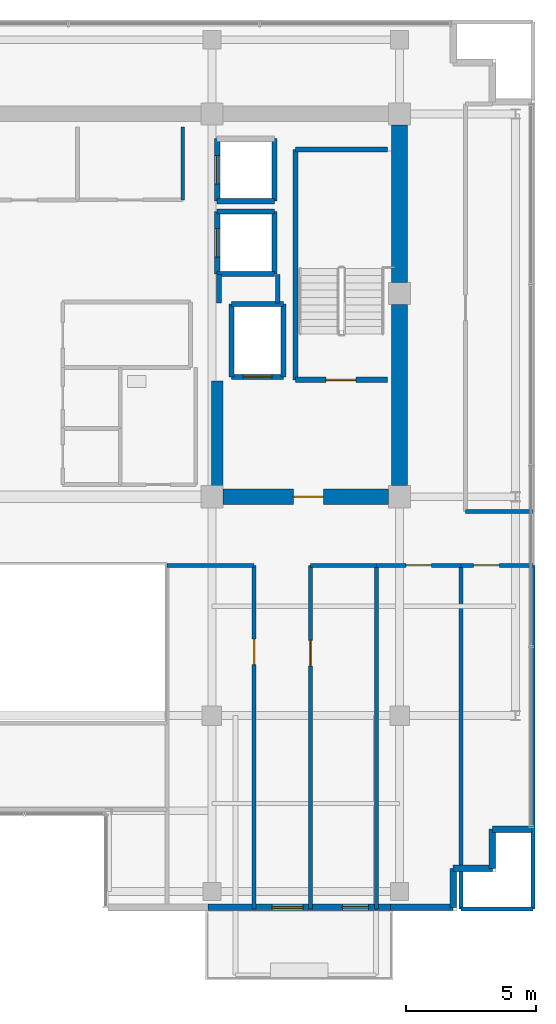
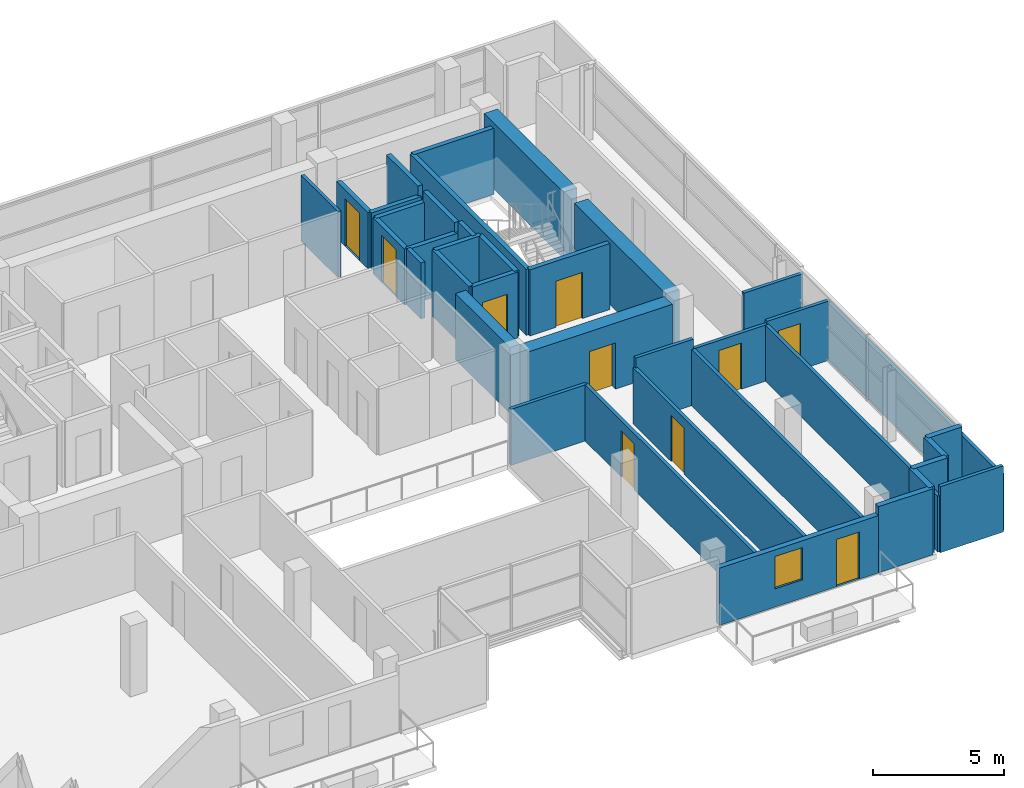
# One storey, part 17 of 22: 38 walls, 10 doors, 1 window, 11 openings.
"""IFC4 building model written with IfcOpenShell, lengths in metres."""

from ifc_helpers import new_model, si_unit, direction, frame, frame_2d, origin, place, context, subcontext, project, spatial, rectangle, extrude, source, transform, mapped, material, layer, layer_set, type_object, element, fill, save


model = new_model("IFC4")

# Units and contexts
model_context = context("Model", 3, precision=1e-05, world=origin(), true_north=direction((0.0, 1.0)))
body_context = subcontext(model_context, "Body", "Model", "MODEL_VIEW")
ifc_project = project(units=[si_unit("LENGTHUNIT", "METRE"), si_unit("AREAUNIT", "SQUARE_METRE"), si_unit("VOLUMEUNIT", "CUBIC_METRE"), si_unit("PLANEANGLEUNIT", "RADIAN"), si_unit("MASSUNIT", "GRAM", prefix="KILO")], contexts=[model_context])

# Site, building, storey
site_placement = place(None, origin())
site = spatial("IfcSite", under=ifc_project, at=site_placement, CompositionType="ELEMENT")
building_placement = place(site_placement, origin())
building = spatial("IfcBuilding", under=site, at=building_placement, Name="Zarnakvel Exchange Tower", CompositionType="ELEMENT")
storey_placement = place(building_placement, frame((0.0, 0.0, 222.10009765625)))
storey = spatial("IfcBuildingStorey", under=building, at=storey_placement, Name="L62", CompositionType="ELEMENT", Elevation=222.10009765625)

# Walls
ifc_material_1 = material(Name="Concrete C50/60", Category="concrete")
ifc_layer_1 = layer(ifc_material_1, 0.60009765625)
ifc_layer_set_1 = layer_set([ifc_layer_1], Name="Concrete C50/60")
wall_type_1 = type_object("IfcWallType", Name="CW-C5", PredefinedType="SHEAR", material=ifc_layer_set_1)
wall_1_placement = place(storey_placement, frame((14.39990234375, -0.77490234375, 0.0), z_axis=(0.0, 0.0, 1.0), x_axis=(0.0, 1.0, 0.0)))
element("IfcWall", 1, at=wall_1_placement, inside=storey, type_object=wall_type_1, Name="L62 Rear Core Shear Wall E1 (CW-C5)", PredefinedType="SHEAR", context=body_context, shape_type="SweptSolid", body=[
    extrude(rectangle(XDim=6.949951171875, YDim=0.60009765625, at=frame_2d((3.47509765625, 0.0))), origin(), (0.0, 0.0, 1.0), 3.074951171875),
])
wall_2_placement = place(storey_placement, frame((14.39990234375, 7.02490234375, 0.0), z_axis=(0.0, 0.0, 1.0), x_axis=(0.0, 1.0, 0.0)))
element("IfcWall", 2, at=wall_2_placement, inside=storey, type_object=wall_type_1, Name="L62 Rear Core Shear Wall E2 (CW-C5)", PredefinedType="SHEAR", context=body_context, shape_type="SweptSolid", body=[
    extrude(rectangle(XDim=6.050048828125, YDim=0.60009765625, at=frame_2d((3.02490234375, 0.0))), origin(), (0.0, 0.0, 1.0), 3.074951171875),
])

# Wall, opening, door
wall_3_placement = place(storey_placement, frame((13.97509765625, -1.199951171875, 0.0), z_axis=(0.0, 0.0, 1.0), x_axis=(-1.0, 0.0, 0.0)))
wall_3 = element("IfcWall", 3, at=wall_3_placement, inside=storey, type_object=wall_type_1, Name="L62 Rear Core Shear Wall SE (CW-C5)", PredefinedType="SHEAR", context=body_context, shape_type="SweptSolid", body=[
    extrude(rectangle(XDim=6.35009765625, YDim=0.60009765625, at=frame_2d((3.175048828125, 0.0))), origin(), (0.0, 0.0, 1.0), 3.074951171875),
])
opening_1_placement = place(wall_3_placement, frame((2.5, 0.0, 0.0)))
opening_1 = element("IfcOpeningElement", 4, at=opening_1_placement, cuts=wall_3, Name="Opening D-L62-04", PredefinedType="OPENING", context=body_context, shape_type="SweptSolid", body=[
    extrude(rectangle(XDim=1.14990234375, YDim=2.14990234375, at=frame_2d((0.574951171875, 1.074951171875))), frame((0.0, 0.31005859375, 0.0), z_axis=(0.0, -1.0, 0.0), x_axis=(1.0, 0.0, 0.0)), (0.0, 0.0, 1.0), 0.6201171875),
])
ifc_material_2 = material(Name="Painted Galvanised Steel S355", Category="steel")
door_type_1 = type_object("IfcDoorType", Name="DT-04", OperationType="NOTDEFINED", PredefinedType="DOOR", material=ifc_material_2)
shared_shape_1 = source(origin(), body_context, "Body", "SweptSolid", [
    extrude(rectangle(XDim=1.14990234375, YDim=2.14990234375, at=frame_2d((0.574951171875, 1.074951171875))), frame((0.0, 0.02490234375, 0.0), z_axis=(0.0, -1.0, 0.0), x_axis=(1.0, 0.0, 0.0)), (0.0, 0.0, 1.0), 0.050048828125),
])
door_1_placement = place(opening_1_placement, origin())
door_1 = element("IfcDoor", 5, at=door_1_placement, inside=storey, type_object=door_type_1, Name="L62 Firefighting Lobby East Door D-L62-04", OperationType="SINGLE_SWING_RIGHT", OverallHeight=2.14990234375, OverallWidth=1.14990234375, PredefinedType="DOOR", context=body_context, shape_type="MappedRepresentation", body=[
    mapped(shared_shape_1, transform((0.0, 0.0, 0.0), x_axis=(1.0, 0.0, 0.0), y_axis=(0.0, 1.0, 0.0), z_axis=(0.0, 0.0, 1.0), scale=1.0)),
])
fill(opening_1, door_1)

# Wall
ifc_layer_2 = layer(ifc_material_1, 0.449951171875)
ifc_layer_set_2 = layer_set([ifc_layer_2], Name="Concrete C50/60")
wall_type_2 = type_object("IfcWallType", Name="CW-C6", PredefinedType="SHEAR", material=ifc_layer_set_2)
wall_4_placement = place(storey_placement, frame((7.39990234375, -0.89990234375, 0.0), z_axis=(0.0, 0.0, 1.0), x_axis=(0.0, 1.0, 0.0)))
element("IfcWall", 6, at=wall_4_placement, inside=storey, type_object=wall_type_2, Name="L62 Rear Core Shear Wall IE (CW-C6)", PredefinedType="SHEAR", context=body_context, shape_type="SweptSolid", body=[
    extrude(rectangle(XDim=4.14990234375, YDim=0.449951171875, at=frame_2d((2.074951171875, 0.0))), origin(), (0.0, 0.0, 1.0), 3.074951171875),
])

# Wall, openings, door, window
ifc_material_3 = material(Name="Precast concrete C40/50", Category="concrete")
ifc_layer_3 = layer(ifc_material_3, 0.239990234375)
ifc_layer_set_3 = layer_set([ifc_layer_3], Name="Precast concrete C40/50")
wall_type_3 = type_object("IfcWallType", Name="EW-02", PredefinedType="SOLIDWALL", material=ifc_layer_set_3)
wall_5_placement = place(storey_placement, frame((14.050048828125, -16.9599609375, 0.0), z_axis=(0.0, 0.0, 1.0), x_axis=(-1.0, 0.0, 0.0)))
wall_5 = element("IfcWall", 7, at=wall_5_placement, inside=storey, type_object=wall_type_3, Name="L62 Exterior Precast Spandrel Wall EW-BAL-L62-SE (EW-02)", PredefinedType="SOLIDWALL", context=body_context, shape_type="SweptSolid", body=[
    extrude(rectangle(XDim=7.0, YDim=0.239990234375, at=frame_2d((3.5, 0.0))), origin(), (0.0, 0.0, 1.0), 2.664794921875),
])
opening_2_placement = place(wall_5_placement, frame((0.840087890625, 0.0, 0.0)))
opening_2 = element("IfcOpeningElement", 8, at=opening_2_placement, cuts=wall_5, Name="Opening BD-L62-02", PredefinedType="OPENING", context=body_context, shape_type="SweptSolid", body=[
    extrude(rectangle(XDim=1.0, YDim=2.199951171875, at=frame_2d((0.5, 1.10009765625))), frame((0.0, 0.1298828125, 0.0), z_axis=(0.0, -1.0, 0.0), x_axis=(1.0, 0.0, 0.0)), (0.0, 0.0, 1.0), 0.260009765625),
])
opening_3_placement = place(wall_5_placement, frame((3.35009765625, 0.0, 0.85009765625)))
opening_3 = element("IfcOpeningElement", 9, at=opening_3_placement, cuts=wall_5, Name="Opening WN-04", PredefinedType="OPENING", context=body_context, shape_type="SweptSolid", body=[
    extrude(rectangle(XDim=1.199951171875, YDim=1.5, at=frame_2d((0.60009765625, 0.75))), frame((0.0, 0.1298828125, 0.0), z_axis=(0.0, -1.0, 0.0), x_axis=(1.0, 0.0, 0.0)), (0.0, 0.0, 1.0), 0.260009765625),
])
ifc_material_4 = material(Name="Architectural Bronze Anodised Aluminium", Category="aluminium")
door_type_2 = type_object("IfcDoorType", Name="DT-09", OperationType="NOTDEFINED", PredefinedType="DOOR", material=ifc_material_4)
shared_shape_2 = source(origin(), body_context, "Body", "SweptSolid", [
    extrude(rectangle(XDim=1.0, YDim=2.199951171875, at=frame_2d((0.5, 1.10009765625))), frame((0.0, 0.02490234375, 0.0), z_axis=(0.0, -1.0, 0.0), x_axis=(1.0, 0.0, 0.0)), (0.0, 0.0, 1.0), 0.050048828125),
])
door_2_placement = place(opening_2_placement, origin())
door_2 = element("IfcDoor", 10, at=door_2_placement, inside=storey, type_object=door_type_2, Name="L62 Planted Loggia Balcony Door BD-L62-02", OperationType="SINGLE_SWING_LEFT", OverallHeight=2.199951171875, OverallWidth=1.0, PredefinedType="DOOR", context=body_context, shape_type="MappedRepresentation", body=[
    mapped(shared_shape_2, transform((0.0, 0.0, 0.0), x_axis=(1.0, 0.0, 0.0), y_axis=(0.0, 1.0, 0.0), z_axis=(0.0, 0.0, 1.0), scale=1.0)),
])
fill(opening_2, door_2)
ifc_material_5 = material(Name="Double Low-E Laminated Vision Glass", Category="glass")
window_type = type_object("IfcWindowType", Name="WN-04", PartitioningType="SINGLE_PANEL", PredefinedType="WINDOW", material=ifc_material_5)
shared_shape_3 = source(origin(), body_context, "Body", "SweptSolid", [
    extrude(rectangle(XDim=1.199951171875, YDim=1.5, at=frame_2d((0.60009765625, 0.75))), frame((0.0, 0.030029296875, 0.0), z_axis=(0.0, -1.0, 0.0), x_axis=(1.0, 0.0, 0.0)), (0.0, 0.0, 1.0), 0.06005859375),
])
window_placement = place(opening_3_placement, origin())
window = element("IfcWindow", 11, at=window_placement, inside=storey, type_object=window_type, Name="L62 Loggia Daylight Window (WN-04)", OverallHeight=1.5, OverallWidth=1.199951171875, PartitioningType="SINGLE_PANEL", PredefinedType="WINDOW", context=body_context, shape_type="MappedRepresentation", body=[
    mapped(shared_shape_3, transform((0.0, 0.0, 0.0), x_axis=(1.0, 0.0, 0.0), y_axis=(0.0, 1.0, 0.0), z_axis=(0.0, 0.0, 1.0), scale=1.0)),
])
fill(opening_3, window)

# Walls
for number, where, z_axis, x_axis, name in (
    (12, (17.9599609375, -13.9599609375, 0.0), (0.0, 0.0, 1.0), (1.0, 0.0, 0.0), "L62 Exterior Precast Spandrel Wall EWC-L62-11 (EW-02)"),
    (13, (17.9599609375, -15.4599609375, 0.0), (0.0, 0.0, 1.0), (0.0, 1.0, 0.0), "L62 Exterior Precast Spandrel Wall EWC-L62-12 (EW-02)"),
    (14, (16.4599609375, -15.4599609375, 0.0), (0.0, 0.0, 1.0), (1.0, 0.0, 0.0), "L62 Exterior Precast Spandrel Wall EWC-L62-13 (EW-02)"),
    (15, (16.4599609375, -16.9599609375, 0.0), (0.0, 0.0, 1.0), (0.0, 1.0, 0.0), "L62 Exterior Precast Spandrel Wall EWC-L62-14 (EW-02)"),
):
    element("IfcWall", number, at=place(storey_placement, frame(where, z_axis=z_axis, x_axis=x_axis)), inside=storey, type_object=wall_type_3, Name=name, PredefinedType="SOLIDWALL", context=body_context, shape_type="SweptSolid", body=[
        extrude(rectangle(XDim=1.5, YDim=0.239990234375, at=frame_2d((0.75, 0.0))), origin(), (0.0, 0.0, 1.0), 3.074951171875),
    ])
wall_6_placement = place(storey_placement, frame((14.050048828125, -16.9599609375, 0.0), z_axis=(0.0, 0.0, 1.0), x_axis=(1.0, 0.0, 0.0)))
element("IfcWall", 16, at=wall_6_placement, inside=storey, type_object=wall_type_3, Name="L62 Exterior Precast Spandrel Wall EWC-L62-15 (EW-02)", PredefinedType="SOLIDWALL", context=body_context, shape_type="SweptSolid", body=[
    extrude(rectangle(XDim=2.409912109375, YDim=0.239990234375, at=frame_2d((1.205078125, 0.0))), origin(), (0.0, 0.0, 1.0), 3.074951171875),
])
ifc_material_6 = material(Name="Fire-Rated Gypsum Stud Partition", Category="gypsum")
ifc_layer_4 = layer(ifc_material_6, 0.14990234375)
ifc_layer_set_4 = layer_set([ifc_layer_4], Name="Fire-Rated Gypsum Stud Partition")
wall_type_4 = type_object("IfcWallType", Name="PT-01", PredefinedType="PARTITIONING", material=ifc_layer_set_4)
wall_7_placement = place(storey_placement, frame((10.97998046875, -3.830078125, 0.0), z_axis=(0.0, 0.0, 1.0), x_axis=(1.0, 0.0, 0.0)))
element("IfcWall", 17, at=wall_7_placement, inside=storey, type_object=wall_type_4, Name="L62 Partition Wall PWALL-L62-049 (PT-01)", PredefinedType="PARTITIONING", context=body_context, shape_type="SweptSolid", body=[
    extrude(rectangle(XDim=2.533447265625, YDim=0.14990234375, at=frame_2d((1.2666015625, 0.0))), origin(), (0.0, 0.0, 1.0), 3.074951171875),
])

# Wall, opening, door
wall_8_placement = place(storey_placement, frame((10.97998046875, -17.030029296875, 0.0), z_axis=(0.0, 0.0, 1.0), x_axis=(0.0, 1.0, 0.0)))
wall_8 = element("IfcWall", 18, at=wall_8_placement, inside=storey, type_object=wall_type_4, Name="L62 Partition Wall PWALL-L62-050 (PT-01)", PredefinedType="PARTITIONING", context=body_context, shape_type="SweptSolid", body=[
    extrude(rectangle(XDim=13.199951171875, YDim=0.14990234375, at=frame_2d((6.60009765625, 0.0))), origin(), (0.0, 0.0, 1.0), 2.614990234375),
])
opening_4_placement = place(wall_8_placement, frame((9.340087890625, 0.0, 0.0)))
opening_4 = element("IfcOpeningElement", 19, at=opening_4_placement, cuts=wall_8, Name="Opening D-L62-18", PredefinedType="OPENING", context=body_context, shape_type="SweptSolid", body=[
    extrude(rectangle(XDim=0.97998046875, YDim=2.14990234375, at=frame_2d((0.489990234375, 1.074951171875))), frame((0.0, 0.0849609375, 0.0), z_axis=(0.0, -1.0, 0.0), x_axis=(1.0, 0.0, 0.0)), (0.0, 0.0, 1.0), 0.169921875),
])
ifc_material_7 = material(Name="Timber Acoustic Veneer", Category="wood")
door_type_3 = type_object("IfcDoorType", Name="DT-05", OperationType="NOTDEFINED", PredefinedType="DOOR", material=ifc_material_7)
shared_shape_4 = source(origin(), body_context, "Body", "SweptSolid", [
    extrude(rectangle(XDim=0.97998046875, YDim=2.14990234375, at=frame_2d((0.489990234375, 1.074951171875))), frame((0.0, 0.02490234375, 0.0), z_axis=(0.0, -1.0, 0.0), x_axis=(1.0, 0.0, 0.0)), (0.0, 0.0, 1.0), 0.050048828125),
])
door_3_placement = place(opening_4_placement, origin())
door_3 = element("IfcDoor", 20, at=door_3_placement, inside=storey, type_object=door_type_3, Name="L62 Conference Room Door D-L62-18", OperationType="SINGLE_SWING_RIGHT", OverallHeight=2.14990234375, OverallWidth=0.97998046875, PredefinedType="DOOR", context=body_context, shape_type="MappedRepresentation", body=[
    mapped(shared_shape_4, transform((0.0, 0.0, 0.0), x_axis=(1.0, 0.0, 0.0), y_axis=(0.0, 1.0, 0.0), z_axis=(0.0, 0.0, 1.0), scale=1.0)),
])
fill(opening_4, door_3)

# Wall
wall_9_placement = place(storey_placement, frame((13.513427734375, -3.830078125, 0.0), z_axis=(0.0, 0.0, 1.0), x_axis=(0.0, -1.0, 0.0)))
element("IfcWall", 21, at=wall_9_placement, inside=storey, type_object=wall_type_4, Name="L62 Partition Wall PWALL-L62-051 (PT-01)", PredefinedType="PARTITIONING", context=body_context, shape_type="SweptSolid", body=[
    extrude(rectangle(XDim=13.199951171875, YDim=0.14990234375, at=frame_2d((6.60009765625, 0.0))), origin(), (0.0, 0.0, 1.0), 2.614990234375),
])

# Wall, opening, door
wall_10_placement = place(storey_placement, frame((13.513427734375, -3.830078125, 0.0), z_axis=(0.0, 0.0, 1.0), x_axis=(1.0, 0.0, 0.0)))
wall_10 = element("IfcWall", 22, at=wall_10_placement, inside=storey, type_object=wall_type_4, Name="L62 Partition Wall PWALL-L62-053 (PT-01)", PredefinedType="PARTITIONING", context=body_context, shape_type="SweptSolid", body=[
    extrude(rectangle(XDim=3.24560546875, YDim=0.14990234375, at=frame_2d((1.622802734375, 0.0))), origin(), (0.0, 0.0, 1.0), 2.614990234375),
])
opening_5_placement = place(wall_10_placement, frame((1.132568359375, 0.0, 0.0)))
opening_5 = element("IfcOpeningElement", 23, at=opening_5_placement, cuts=wall_10, Name="Opening D-L62-19", PredefinedType="OPENING", context=body_context, shape_type="SweptSolid", body=[
    extrude(rectangle(XDim=0.97998046875, YDim=2.14990234375, at=frame_2d((0.489990234375, 1.074951171875))), frame((0.0, 0.0849609375, 0.0), z_axis=(0.0, -1.0, 0.0), x_axis=(1.0, 0.0, 0.0)), (0.0, 0.0, 1.0), 0.169921875),
])
door_4_placement = place(opening_5_placement, origin())
door_4 = element("IfcDoor", 24, at=door_4_placement, inside=storey, type_object=door_type_3, Name="L62 Executive Suite Door D-L62-19", OperationType="SINGLE_SWING_LEFT", OverallHeight=2.14990234375, OverallWidth=0.97998046875, PredefinedType="DOOR", context=body_context, shape_type="MappedRepresentation", body=[
    mapped(shared_shape_4, transform((0.0, 0.0, 0.0), x_axis=(1.0, 0.0, 0.0), y_axis=(0.0, 1.0, 0.0), z_axis=(0.0, 0.0, 1.0), scale=1.0)),
])
fill(opening_5, door_4)

# Walls
wall_11_placement = place(storey_placement, frame((16.759033203125, -3.830078125, 0.0), z_axis=(0.0, 0.0, 1.0), x_axis=(0.0, -1.0, 0.0)))
element("IfcWall", 25, at=wall_11_placement, inside=storey, type_object=wall_type_4, Name="L62 Partition Wall PWALL-L62-054 (PT-01)", PredefinedType="PARTITIONING", context=body_context, shape_type="SweptSolid", body=[
    extrude(rectangle(XDim=13.199951171875, YDim=0.14990234375, at=frame_2d((6.60009765625, 0.0))), origin(), (0.0, 0.0, 1.0), 2.614990234375),
])
wall_12_placement = place(storey_placement, frame((19.530029296875, -17.030029296875, 0.0), z_axis=(0.0, 0.0, 1.0), x_axis=(-1.0, 0.0, 0.0)))
element("IfcWall", 26, at=wall_12_placement, inside=storey, type_object=wall_type_4, Name="L62 Partition Wall PWALL-L62-055 (PT-01)", PredefinedType="PARTITIONING", context=body_context, shape_type="SweptSolid", body=[
    extrude(rectangle(XDim=2.77099609375, YDim=0.14990234375, at=frame_2d((1.385498046875, 0.0))), origin(), (0.0, 0.0, 1.0), 3.074951171875),
])

# Wall, opening, door
wall_13_placement = place(storey_placement, frame((16.759033203125, -3.830078125, 0.0), z_axis=(0.0, 0.0, 1.0), x_axis=(1.0, 0.0, 0.0)))
wall_13 = element("IfcWall", 27, at=wall_13_placement, inside=storey, type_object=wall_type_4, Name="L62 Partition Wall PWALL-L62-056 (PT-01)", PredefinedType="PARTITIONING", context=body_context, shape_type="SweptSolid", body=[
    extrude(rectangle(XDim=2.77099609375, YDim=0.14990234375, at=frame_2d((1.385498046875, 0.0))), origin(), (0.0, 0.0, 1.0), 2.764892578125),
])
opening_6_placement = place(wall_13_placement, frame((0.489990234375, 0.0, 0.0)))
opening_6 = element("IfcOpeningElement", 28, at=opening_6_placement, cuts=wall_13, Name="Opening D-L62-20", PredefinedType="OPENING", context=body_context, shape_type="SweptSolid", body=[
    extrude(rectangle(XDim=0.97998046875, YDim=2.14990234375, at=frame_2d((0.489990234375, 1.074951171875))), frame((0.0, 0.0849609375, 0.0), z_axis=(0.0, -1.0, 0.0), x_axis=(1.0, 0.0, 0.0)), (0.0, 0.0, 1.0), 0.169921875),
])
door_5_placement = place(opening_6_placement, origin())
door_5 = element("IfcDoor", 29, at=door_5_placement, inside=storey, type_object=door_type_3, Name="L62 Staff Pantry Door D-L62-20", OperationType="SINGLE_SWING_RIGHT", OverallHeight=2.14990234375, OverallWidth=0.97998046875, PredefinedType="DOOR", context=body_context, shape_type="MappedRepresentation", body=[
    mapped(shared_shape_4, transform((0.0, 0.0, 0.0), x_axis=(1.0, 0.0, 0.0), y_axis=(0.0, 1.0, 0.0), z_axis=(0.0, 0.0, 1.0), scale=1.0)),
])
fill(opening_6, door_5)

# Walls
wall_14_placement = place(storey_placement, frame((19.530029296875, -3.830078125, 0.0), z_axis=(0.0, 0.0, 1.0), x_axis=(0.0, -1.0, 0.0)))
element("IfcWall", 30, at=wall_14_placement, inside=storey, type_object=wall_type_4, Name="L62 Partition Wall PWALL-L62-057 (PT-01)", PredefinedType="PARTITIONING", context=body_context, shape_type="SweptSolid", body=[
    extrude(rectangle(XDim=13.199951171875, YDim=0.14990234375, at=frame_2d((6.60009765625, 0.0))), origin(), (0.0, 0.0, 1.0), 2.664794921875),
])
wall_15_placement = place(storey_placement, frame((5.47998046875, -3.830078125, 0.0), z_axis=(0.0, 0.0, 1.0), x_axis=(1.0, 0.0, 0.0)))
element("IfcWall", 31, at=wall_15_placement, inside=storey, type_object=wall_type_4, Name="L62 Partition Wall PWALL-L62-063 (PT-01)", PredefinedType="PARTITIONING", context=body_context, shape_type="SweptSolid", body=[
    extrude(rectangle(XDim=3.340087890625, YDim=0.14990234375, at=frame_2d((1.669921875, 0.0))), origin(), (0.0, 0.0, 1.0), 2.614990234375),
])

# Wall, opening, door
wall_16_placement = place(storey_placement, frame((8.820068359375, -3.830078125, 0.0), z_axis=(0.0, 0.0, 1.0), x_axis=(0.0, -1.0, 0.0)))
wall_16 = element("IfcWall", 32, at=wall_16_placement, inside=storey, type_object=wall_type_4, Name="L62 Partition Wall PWALL-L62-065 (PT-01)", PredefinedType="PARTITIONING", context=body_context, shape_type="SweptSolid", body=[
    extrude(rectangle(XDim=13.199951171875, YDim=0.14990234375, at=frame_2d((6.60009765625, 0.0))), origin(), (0.0, 0.0, 1.0), 2.614990234375),
])
opening_7_placement = place(wall_16_placement, frame((2.8349609375, 0.0, 0.0)))
opening_7 = element("IfcOpeningElement", 33, at=opening_7_placement, cuts=wall_16, Name="Opening D-L62-22", PredefinedType="OPENING", context=body_context, shape_type="SweptSolid", body=[
    extrude(rectangle(XDim=0.97998046875, YDim=2.14990234375, at=frame_2d((0.489990234375, 1.074951171875))), frame((0.0, 0.0849609375, 0.0), z_axis=(0.0, -1.0, 0.0), x_axis=(1.0, 0.0, 0.0)), (0.0, 0.0, 1.0), 0.169921875),
])
door_6_placement = place(opening_7_placement, origin())
door_6 = element("IfcDoor", 34, at=door_6_placement, inside=storey, type_object=door_type_3, Name="L62 Compliance Office Door D-L62-22", OperationType="SINGLE_SWING_RIGHT", OverallHeight=2.14990234375, OverallWidth=0.97998046875, PredefinedType="DOOR", context=body_context, shape_type="MappedRepresentation", body=[
    mapped(shared_shape_4, transform((0.0, 0.0, 0.0), x_axis=(1.0, 0.0, 0.0), y_axis=(0.0, 1.0, 0.0), z_axis=(0.0, 0.0, 1.0), scale=1.0)),
])
fill(opening_7, door_6)

# Walls
wall_17_placement = place(storey_placement, frame((19.530029296875, -1.77001953125, 0.0), z_axis=(0.0, 0.0, 1.0), x_axis=(-1.0, 0.0, 0.0)))
element("IfcWall", 35, at=wall_17_placement, inside=storey, type_object=wall_type_4, Name="L62 Partition Wall PWALL-L62-071 (PT-01)", PredefinedType="PARTITIONING", context=body_context, shape_type="SweptSolid", body=[
    extrude(rectangle(XDim=2.60009765625, YDim=0.14990234375, at=frame_2d((1.300048828125, 0.0))), origin(), (0.0, 0.0, 1.0), 2.764892578125),
])
ifc_layer_5 = layer(ifc_material_6, 0.179931640625)
ifc_layer_set_5 = layer_set([ifc_layer_5], Name="Fire-Rated Gypsum Stud Partition")
wall_type_5 = type_object("IfcWallType", Name="PT-02", PredefinedType="PARTITIONING", material=ifc_layer_set_5)
wall_18_placement = place(storey_placement, frame((7.469970703125, 6.239990234375, 0.0), z_axis=(0.0, 0.0, 1.0), x_axis=(0.0, 1.0, 0.0)))
element("IfcWall", 36, at=wall_18_placement, inside=storey, type_object=wall_type_5, Name="L62 Partition Wall PWALL-L62-009 (PT-02)", PredefinedType="PARTITIONING", context=body_context, shape_type="SweptSolid", body=[
    extrude(rectangle(XDim=1.090087890625, YDim=0.179931640625, at=frame_2d((0.544921875, 0.0))), origin(), (0.0, 0.0, 1.0), 2.614990234375),
])
wall_19_placement = place(storey_placement, frame((9.72998046875, 7.330078125, 0.0), z_axis=(0.0, 0.0, 1.0), x_axis=(0.0, -1.0, 0.0)))
element("IfcWall", 37, at=wall_19_placement, inside=storey, type_object=wall_type_5, Name="L62 Partition Wall PWALL-L62-010 (PT-02)", PredefinedType="PARTITIONING", context=body_context, shape_type="SweptSolid", body=[
    extrude(rectangle(XDim=1.090087890625, YDim=0.179931640625, at=frame_2d((0.544921875, 0.0))), origin(), (0.0, 0.0, 1.0), 3.074951171875),
])
ifc_material_8 = material(Name="Moisture-Resistant Tile-Faced Partition", Category="gypsum")
ifc_layer_6 = layer(ifc_material_8, 0.135009765625)
ifc_layer_set_6 = layer_set([ifc_layer_6], Name="Moisture-Resistant Tile-Faced Partition")
wall_type_6 = type_object("IfcWallType", Name="PT-03", PredefinedType="PARTITIONING", material=ifc_layer_set_6)
wall_20_placement = place(storey_placement, frame((6.080078125, 13.0, 0.0), z_axis=(0.0, 0.0, 1.0), x_axis=(0.0, -1.0, 0.0)))
element("IfcWall", 38, at=wall_20_placement, inside=storey, type_object=wall_type_6, Name="L62 Partition Wall PWALL-L62-017 (PT-03)", PredefinedType="PARTITIONING", context=body_context, shape_type="SweptSolid", body=[
    extrude(rectangle(XDim=2.800048828125, YDim=0.135009765625, at=frame_2d((1.39990234375, 0.0))), origin(), (0.0, 0.0, 1.0), 3.074951171875),
])

# Wall, opening, door
ifc_material_9 = material(Name="Concrete C40/50", Category="concrete")
ifc_layer_7 = layer(ifc_material_9, 0.199951171875)
ifc_layer_set_7 = layer_set([ifc_layer_7], Name="Concrete C40/50")
wall_type_7 = type_object("IfcWallType", Name="SW-01", PredefinedType="SOLIDWALL", material=ifc_layer_set_7)
wall_21_placement = place(storey_placement, frame((9.949951171875, 3.39990234375, 0.0), z_axis=(0.0, 0.0, 1.0), x_axis=(-1.0, 0.0, 0.0)))
wall_21 = element("IfcWall", 39, at=wall_21_placement, inside=storey, type_object=wall_type_7, Name="L62 FL-02 Hoistway Wall South", PredefinedType="SOLIDWALL", context=body_context, shape_type="SweptSolid", body=[
    extrude(rectangle(XDim=2.0, YDim=0.199951171875, at=frame_2d((1.0, 0.0))), origin(), (0.0, 0.0, 1.0), 3.074951171875),
])
opening_8_placement = place(wall_21_placement, frame((0.449951171875, 0.0, 0.0)))
opening_8 = element("IfcOpeningElement", 40, at=opening_8_placement, cuts=wall_21, Name="Opening LD-FL-02-L62", PredefinedType="OPENING", context=body_context, shape_type="SweptSolid", body=[
    extrude(rectangle(XDim=1.10009765625, YDim=2.199951171875, at=frame_2d((0.550048828125, 1.10009765625))), frame((0.0, 0.10986328125, 0.0), z_axis=(0.0, -1.0, 0.0), x_axis=(1.0, 0.0, 0.0)), (0.0, 0.0, 1.0), 0.219970703125),
])
ifc_material_10 = material(Name="Brushed Stainless Steel", Category="steel")
door_type_4 = type_object("IfcDoorType", Name="LDT-01", OperationType="NOTDEFINED", PredefinedType="DOOR", material=ifc_material_10)
shared_shape_5 = source(origin(), body_context, "Body", "SweptSolid", [
    extrude(rectangle(XDim=1.10009765625, YDim=2.199951171875, at=frame_2d((0.550048828125, 1.10009765625))), frame((0.0, 0.02490234375, 0.0), z_axis=(0.0, -1.0, 0.0), x_axis=(1.0, 0.0, 0.0)), (0.0, 0.0, 1.0), 0.050048828125),
])
door_7_placement = place(opening_8_placement, origin())
door_7 = element("IfcDoor", 41, at=door_7_placement, inside=storey, type_object=door_type_4, Name="L62 FL-02 Lift Landing Door LD-FL-02-L62", OperationType="DOUBLE_DOOR_SLIDING", OverallHeight=2.199951171875, OverallWidth=1.10009765625, PredefinedType="DOOR", context=body_context, shape_type="MappedRepresentation", body=[
    mapped(shared_shape_5, transform((0.0, 0.0, 0.0), x_axis=(1.0, 0.0, 0.0), y_axis=(0.0, 1.0, 0.0), z_axis=(0.0, 0.0, 1.0), scale=1.0)),
])
fill(opening_8, door_7)

# Walls
wall_22_placement = place(storey_placement, frame((7.949951171875, 6.199951171875, 0.0), z_axis=(0.0, 0.0, 1.0), x_axis=(1.0, 0.0, 0.0)))
element("IfcWall", 42, at=wall_22_placement, inside=storey, type_object=wall_type_7, Name="L62 FL-02 Hoistway Wall North", PredefinedType="SOLIDWALL", context=body_context, shape_type="SweptSolid", body=[
    extrude(rectangle(XDim=2.0, YDim=0.199951171875, at=frame_2d((1.0, 0.0))), origin(), (0.0, 0.0, 1.0), 3.074951171875),
])
for number, where, z_axis, x_axis, name in (
    (43, (7.949951171875, 3.39990234375, 0.0), (0.0, 0.0, 1.0), (0.0, 1.0, 0.0), "L62 FL-02 Hoistway Wall West"),
    (44, (9.949951171875, 6.199951171875, 0.0), (0.0, 0.0, 1.0), (0.0, -1.0, 0.0), "L62 FL-02 Hoistway Wall East"),
):
    element("IfcWall", number, at=place(storey_placement, frame(where, z_axis=z_axis, x_axis=x_axis)), inside=storey, type_object=wall_type_7, Name=name, PredefinedType="SOLIDWALL", context=body_context, shape_type="SweptSolid", body=[
        extrude(rectangle(XDim=2.800048828125, YDim=0.199951171875, at=frame_2d((1.39990234375, 0.0))), origin(), (0.0, 0.0, 1.0), 3.074951171875),
    ])
for number, where, z_axis, x_axis, name in (
    (45, (9.60009765625, 7.35009765625, 0.0), (0.0, 0.0, 1.0), (-1.0, 0.0, 0.0), "L62 PL-11 Hoistway Wall South"),
    (46, (7.39990234375, 9.75, 0.0), (0.0, 0.0, 1.0), (1.0, 0.0, 0.0), "L62 PL-11 Hoistway Wall North"),
):
    element("IfcWall", number, at=place(storey_placement, frame(where, z_axis=z_axis, x_axis=x_axis)), inside=storey, type_object=wall_type_7, Name=name, PredefinedType="SOLIDWALL", context=body_context, shape_type="SweptSolid", body=[
        extrude(rectangle(XDim=2.2001953125, YDim=0.199951171875, at=frame_2d((1.10009765625, 0.0))), origin(), (0.0, 0.0, 1.0), 2.614990234375),
    ])

# Wall, opening, door
wall_23_placement = place(storey_placement, frame((7.39990234375, 7.35009765625, 0.0), z_axis=(0.0, 0.0, 1.0), x_axis=(0.0, 1.0, 0.0)))
wall_23 = element("IfcWall", 47, at=wall_23_placement, inside=storey, type_object=wall_type_7, Name="L62 PL-11 Hoistway Wall West", PredefinedType="SOLIDWALL", context=body_context, shape_type="SweptSolid", body=[
    extrude(rectangle(XDim=2.39990234375, YDim=0.199951171875, at=frame_2d((1.199951171875, 0.0))), origin(), (0.0, 0.0, 1.0), 2.614990234375),
])
opening_9_placement = place(wall_23_placement, frame((0.64990234375, 0.0, 0.0)))
opening_9 = element("IfcOpeningElement", 48, at=opening_9_placement, cuts=wall_23, Name="Opening LD-PL-11-L62", PredefinedType="OPENING", context=body_context, shape_type="SweptSolid", body=[
    extrude(rectangle(XDim=1.10009765625, YDim=2.199951171875, at=frame_2d((0.550048828125, 1.10009765625))), frame((0.0, 0.10986328125, 0.0), z_axis=(0.0, -1.0, 0.0), x_axis=(1.0, 0.0, 0.0)), (0.0, 0.0, 1.0), 0.219970703125),
])
door_type_5 = type_object("IfcDoorType", Name="LDT-02", OperationType="NOTDEFINED", PredefinedType="DOOR", material=ifc_material_4)
door_8_placement = place(opening_9_placement, origin())
door_8 = element("IfcDoor", 49, at=door_8_placement, inside=storey, type_object=door_type_5, Name="L62 PL-11 Lift Landing Door LD-PL-11-L62", OperationType="DOUBLE_DOOR_SLIDING", OverallHeight=2.199951171875, OverallWidth=1.10009765625, PredefinedType="DOOR", context=body_context, shape_type="MappedRepresentation", body=[
    mapped(shared_shape_5, transform((0.0, 0.0, 0.0), x_axis=(1.0, 0.0, 0.0), y_axis=(0.0, 1.0, 0.0), z_axis=(0.0, 0.0, 1.0), scale=1.0)),
])
fill(opening_9, door_8)

# Walls
wall_24_placement = place(storey_placement, frame((9.60009765625, 9.75, 0.0), z_axis=(0.0, 0.0, 1.0), x_axis=(0.0, -1.0, 0.0)))
element("IfcWall", 50, at=wall_24_placement, inside=storey, type_object=wall_type_7, Name="L62 PL-11 Hoistway Wall East", PredefinedType="SOLIDWALL", context=body_context, shape_type="SweptSolid", body=[
    extrude(rectangle(XDim=2.39990234375, YDim=0.199951171875, at=frame_2d((1.199951171875, 0.0))), origin(), (0.0, 0.0, 1.0), 3.074951171875),
])
wall_25_placement = place(storey_placement, frame((9.60009765625, 10.14990234375, 0.0), z_axis=(0.0, 0.0, 1.0), x_axis=(-1.0, 0.0, 0.0)))
element("IfcWall", 51, at=wall_25_placement, inside=storey, type_object=wall_type_7, Name="L62 PL-12 Hoistway Wall South", PredefinedType="SOLIDWALL", context=body_context, shape_type="SweptSolid", body=[
    extrude(rectangle(XDim=2.2001953125, YDim=0.199951171875, at=frame_2d((1.10009765625, 0.0))), origin(), (0.0, 0.0, 1.0), 2.614990234375),
])

# Wall, opening, door
wall_26_placement = place(storey_placement, frame((7.39990234375, 10.14990234375, 0.0), z_axis=(0.0, 0.0, 1.0), x_axis=(0.0, 1.0, 0.0)))
wall_26 = element("IfcWall", 52, at=wall_26_placement, inside=storey, type_object=wall_type_7, Name="L62 PL-12 Hoistway Wall West", PredefinedType="SOLIDWALL", context=body_context, shape_type="SweptSolid", body=[
    extrude(rectangle(XDim=2.400146484375, YDim=0.199951171875, at=frame_2d((1.2001953125, 0.0))), origin(), (0.0, 0.0, 1.0), 2.614990234375),
])
opening_10_placement = place(wall_26_placement, frame((0.64990234375, 0.0, 0.0)))
opening_10 = element("IfcOpeningElement", 53, at=opening_10_placement, cuts=wall_26, Name="Opening LD-PL-12-L62", PredefinedType="OPENING", context=body_context, shape_type="SweptSolid", body=[
    extrude(rectangle(XDim=1.10009765625, YDim=2.199951171875, at=frame_2d((0.550048828125, 1.10009765625))), frame((0.0, 0.10986328125, 0.0), z_axis=(0.0, -1.0, 0.0), x_axis=(1.0, 0.0, 0.0)), (0.0, 0.0, 1.0), 0.219970703125),
])
door_9_placement = place(opening_10_placement, origin())
door_9 = element("IfcDoor", 54, at=door_9_placement, inside=storey, type_object=door_type_5, Name="L62 PL-12 Lift Landing Door LD-PL-12-L62", OperationType="DOUBLE_DOOR_SLIDING", OverallHeight=2.199951171875, OverallWidth=1.10009765625, PredefinedType="DOOR", context=body_context, shape_type="MappedRepresentation", body=[
    mapped(shared_shape_5, transform((0.0, 0.0, 0.0), x_axis=(1.0, 0.0, 0.0), y_axis=(0.0, 1.0, 0.0), z_axis=(0.0, 0.0, 1.0), scale=1.0)),
])
fill(opening_10, door_9)

# Wall
wall_27_placement = place(storey_placement, frame((9.60009765625, 12.550048828125, 0.0), z_axis=(0.0, 0.0, 1.0), x_axis=(0.0, -1.0, 0.0)))
element("IfcWall", 55, at=wall_27_placement, inside=storey, type_object=wall_type_7, Name="L62 PL-12 Hoistway Wall East", PredefinedType="SOLIDWALL", context=body_context, shape_type="SweptSolid", body=[
    extrude(rectangle(XDim=2.400146484375, YDim=0.199951171875, at=frame_2d((1.2001953125, 0.0))), origin(), (0.0, 0.0, 1.0), 3.074951171875),
])

# Wall, opening, door
ifc_layer_8 = layer(ifc_material_9, 0.199951171875)
ifc_layer_set_8 = layer_set([ifc_layer_8], Name="Concrete C40/50")
wall_type_8 = type_object("IfcWallType", Name="SW-02", PredefinedType="SOLIDWALL", material=ifc_layer_set_8)
wall_28_placement = place(storey_placement, frame((13.929931640625, 3.2900390625, 0.0), z_axis=(0.0, 0.0, 1.0), x_axis=(-1.0, 0.0, 0.0)))
wall_28 = element("IfcWall", 56, at=wall_28_placement, inside=storey, type_object=wall_type_8, Name="L62 Stairwell Core Wall PWALL-L62-004 (SW-02)", PredefinedType="SOLIDWALL", context=body_context, shape_type="SweptSolid", body=[
    extrude(rectangle(XDim=3.52001953125, YDim=0.199951171875, at=frame_2d((1.760009765625, 0.0))), origin(), (0.0, 0.0, 1.0), 3.074951171875),
])
opening_11_placement = place(wall_28_placement, frame((1.205078125, 0.0, 0.0)))
opening_11 = element("IfcOpeningElement", 57, at=opening_11_placement, cuts=wall_28, Name="Opening D-L62-02", PredefinedType="OPENING", context=body_context, shape_type="SweptSolid", body=[
    extrude(rectangle(XDim=1.14990234375, YDim=2.14990234375, at=frame_2d((0.574951171875, 1.074951171875))), frame((0.0, 0.10986328125, 0.0), z_axis=(0.0, -1.0, 0.0), x_axis=(1.0, 0.0, 0.0)), (0.0, 0.0, 1.0), 0.219970703125),
])
door_10_placement = place(opening_11_placement, origin())
door_10 = element("IfcDoor", 58, at=door_10_placement, inside=storey, type_object=door_type_1, Name="L62 Stairwell ST-02 Door D-L62-02", OperationType="SINGLE_SWING_RIGHT", OverallHeight=2.14990234375, OverallWidth=1.14990234375, PredefinedType="DOOR", context=body_context, shape_type="MappedRepresentation", body=[
    mapped(shared_shape_1, transform((0.0, 0.0, 0.0), x_axis=(1.0, 0.0, 0.0), y_axis=(0.0, 1.0, 0.0), z_axis=(0.0, 0.0, 1.0), scale=1.0)),
])
fill(opening_11, door_10)

# Walls
wall_29_placement = place(storey_placement, frame((10.409912109375, 12.1298828125, 0.0), z_axis=(0.0, 0.0, 1.0), x_axis=(1.0, 0.0, 0.0)))
element("IfcWall", 59, at=wall_29_placement, inside=storey, type_object=wall_type_8, Name="L62 Stairwell Core Wall PWALL-L62-005 (SW-02)", PredefinedType="SOLIDWALL", context=body_context, shape_type="SweptSolid", body=[
    extrude(rectangle(XDim=3.52001953125, YDim=0.199951171875, at=frame_2d((1.760009765625, 0.0))), origin(), (0.0, 0.0, 1.0), 3.074951171875),
])
wall_30_placement = place(storey_placement, frame((10.409912109375, 3.2900390625, 0.0), z_axis=(0.0, 0.0, 1.0), x_axis=(0.0, 1.0, 0.0)))
element("IfcWall", 60, at=wall_30_placement, inside=storey, type_object=wall_type_8, Name="L62 Stairwell Core Wall PWALL-L62-006 (SW-02)", PredefinedType="SOLIDWALL", context=body_context, shape_type="SweptSolid", body=[
    extrude(rectangle(XDim=8.83984375, YDim=0.199951171875, at=frame_2d((4.419921875, 0.0))), origin(), (0.0, 0.0, 1.0), 3.074951171875),
])

save(model, "model.ifc")
